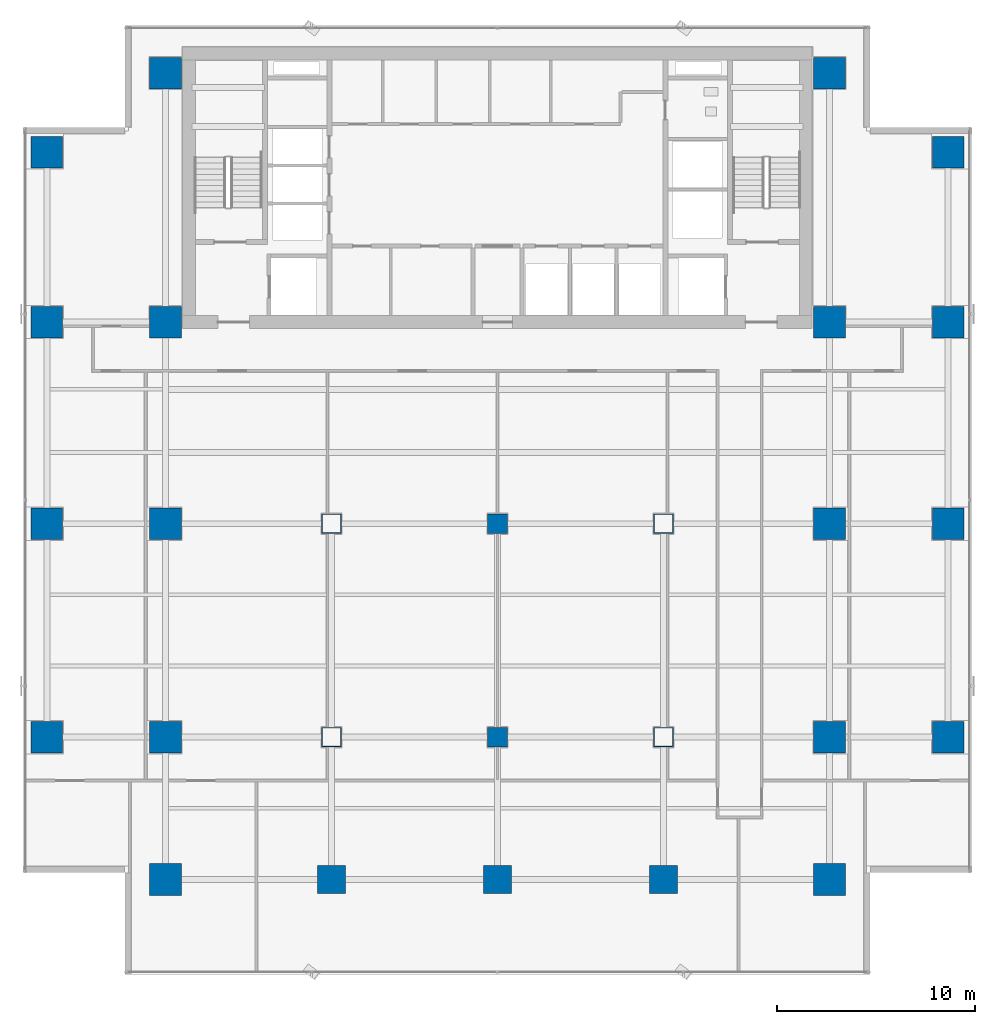
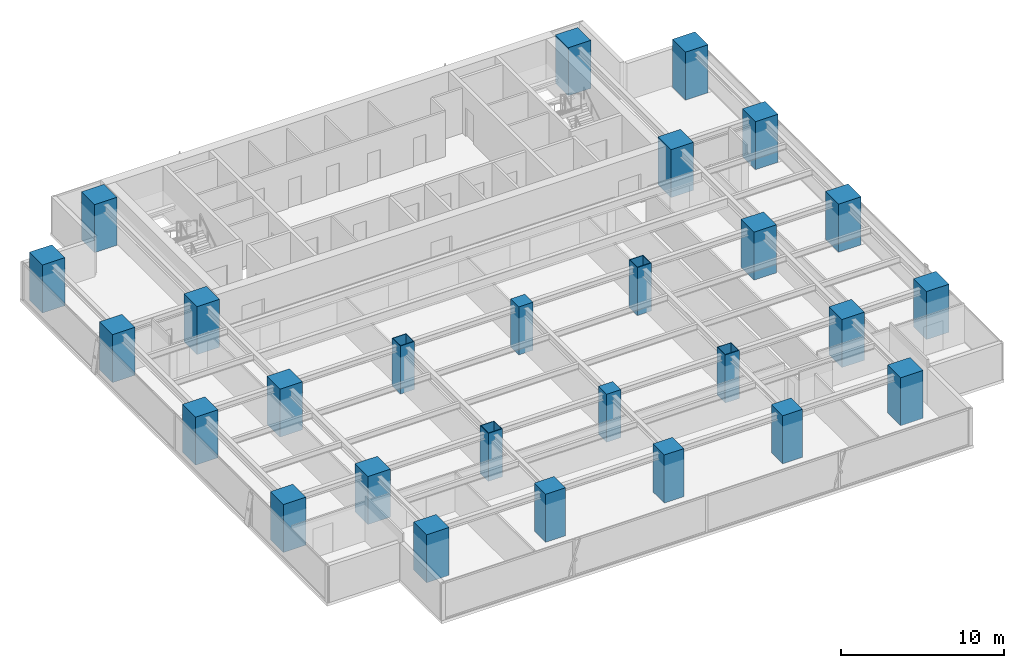
# One storey, part 1 of 28: 27 columns.
"""IFC4 building model written with IfcOpenShell, lengths in metres."""

from ifc_helpers import new_model, si_unit, direction, frame, origin, origin_2d, place, context, subcontext, project, spatial, rectangle, hollow_rectangle, extrude, source, transform, mapped, material, material_profile, profile_set, type_object, element, save


model = new_model("IFC4")

# Units and contexts
model_context = context("Model", 3, precision=1e-05, world=origin(), true_north=direction((0.0, 1.0)))
body_context = subcontext(model_context, "Body", "Model", "MODEL_VIEW")
ifc_project = project(units=[si_unit("LENGTHUNIT", "METRE"), si_unit("AREAUNIT", "SQUARE_METRE"), si_unit("VOLUMEUNIT", "CUBIC_METRE"), si_unit("PLANEANGLEUNIT", "RADIAN"), si_unit("MASSUNIT", "GRAM", prefix="KILO")], contexts=[model_context])

# Site, building, storey
site_placement = place(None, origin())
site = spatial("IfcSite", under=ifc_project, at=site_placement, CompositionType="ELEMENT")
building_placement = place(site_placement, origin())
building = spatial("IfcBuilding", under=site, at=building_placement, Name="Sumidabori Civic Tower", CompositionType="ELEMENT")
storey_placement = place(building_placement, frame((0.0, 0.0, 182.0)))
storey = spatial("IfcBuildingStorey", under=building, at=storey_placement, Name="L47", CompositionType="ELEMENT", Elevation=182.0)

# Columns
ifc_material_1 = material(Name="Concrete C60/75", Category="concrete")
ifc_material_profile_1 = material_profile(ifc_material_1, rectangle(XDim=1.60009765625, YDim=1.60009765625, at=origin_2d()), Name="RC 1600x1600")
ifc_profile_set_1 = profile_set([ifc_material_profile_1], Name="Concrete C60/75")
column_type_1 = type_object("IfcColumnType", Name="CL-MEGA-1600", PredefinedType="COLUMN", material=ifc_profile_set_1)
shared_shape_1 = source(origin(), body_context, "Body", "SweptSolid", [
    extrude(rectangle(XDim=1.60009765625, YDim=1.60009765625, at=origin_2d()), origin(), (0.0, 0.0, 1.0), 3.60009765625),
])
for number, where, z_axis, x_axis, name in (
    (1, (-16.800048828125, -18.0, 0.0), (0.0, 0.0, 1.0), (1.0, 0.0, 0.0), "Column MC-W16-Y18S L47"),
    (2, (-16.800048828125, -10.800048828125, 0.0), (0.0, 0.0, 1.0), (1.0, 0.0, 0.0), "Column MC-W16-Y11S L47"),
    (3, (-16.800048828125, 0.0, 0.0), (0.0, 0.0, 1.0), (1.0, 0.0, 0.0), "Column MC-W16-Y00 L47"),
    (4, (-16.800048828125, 10.199951171875, 0.0), (0.0, 0.0, 1.0), (1.0, 0.0, 0.0), "Column MC-W16-Y10N L47"),
    (5, (-16.800048828125, 22.800048828125, 0.0), (0.0, 0.0, 1.0), (1.0, 0.0, 0.0), "Column MC-W16-Y23N L47"),
    (6, (16.800048828125, -18.0, 0.0), (0.0, 0.0, 1.0), (1.0, 0.0, 0.0), "Column MC-E16-Y18S L47"),
    (7, (16.800048828125, -10.800048828125, 0.0), (0.0, 0.0, 1.0), (1.0, 0.0, 0.0), "Column MC-E16-Y11S L47"),
    (8, (16.800048828125, 0.0, 0.0), (0.0, 0.0, 1.0), (1.0, 0.0, 0.0), "Column MC-E16-Y00 L47"),
    (9, (16.800048828125, 10.199951171875, 0.0), (0.0, 0.0, 1.0), (1.0, 0.0, 0.0), "Column MC-E16-Y10N L47"),
    (10, (16.800048828125, 22.800048828125, 0.0), (0.0, 0.0, 1.0), (1.0, 0.0, 0.0), "Column MC-E16-Y23N L47"),
    (11, (-22.800048828125, -10.800048828125, 0.0), (0.0, 0.0, 1.0), (1.0, 0.0, 0.0), "Column MC-W23-Y11S L47"),
    (12, (-22.800048828125, 0.0, 0.0), (0.0, 0.0, 1.0), (1.0, 0.0, 0.0), "Column MC-W23-Y00 L47"),
    (13, (-22.800048828125, 10.199951171875, 0.0), (0.0, 0.0, 1.0), (1.0, 0.0, 0.0), "Column MC-W23-Y10N L47"),
    (14, (-22.800048828125, 18.800048828125, 0.0), (0.0, 0.0, 1.0), (1.0, 0.0, 0.0), "Column MC-W23-Y19N L47"),
    (15, (22.800048828125, -10.800048828125, 0.0), (0.0, 0.0, 1.0), (1.0, 0.0, 0.0), "Column MC-E23-Y11S L47"),
    (16, (22.800048828125, 0.0, 0.0), (0.0, 0.0, 1.0), (1.0, 0.0, 0.0), "Column MC-E23-Y00 L47"),
    (17, (22.800048828125, 10.199951171875, 0.0), (0.0, 0.0, 1.0), (1.0, 0.0, 0.0), "Column MC-E23-Y10N L47"),
    (18, (22.800048828125, 18.800048828125, 0.0), (0.0, 0.0, 1.0), (1.0, 0.0, 0.0), "Column MC-E23-Y19N L47"),
):
    element("IfcColumn", number, at=place(storey_placement, frame(where, z_axis=z_axis, x_axis=x_axis)), inside=storey, type_object=column_type_1, Name=name, PredefinedType="COLUMN", context=body_context, shape_type="MappedRepresentation", body=[
        mapped(shared_shape_1, transform((0.0, 0.0, 0.0), x_axis=(1.0, 0.0, 0.0), y_axis=(0.0, 1.0, 0.0), z_axis=(0.0, 0.0, 1.0), scale=1.0)),
    ])
ifc_material_2 = material(Name="Steel SM570", Category="steel")
ifc_material_profile_2 = material_profile(ifc_material_2, hollow_rectangle(XDim=1.0, YDim=1.0, WallThickness=0.044921875, at=origin_2d()), Name="SHS 1000x1000x45")
ifc_profile_set_2 = profile_set([ifc_material_profile_2], Name="Steel SM570")
column_type_2 = type_object("IfcColumnType", Name="CL-PORTAL-SHS1000", PredefinedType="COLUMN", material=ifc_profile_set_2)
shared_shape_2 = source(origin(), body_context, "Body", "SweptSolid", [
    extrude(hollow_rectangle(XDim=1.0, YDim=1.0, WallThickness=0.044921875, at=origin_2d()), origin(), (0.0, 0.0, 1.0), 3.60009765625),
])
for number, where, z_axis, x_axis, name in (
    (19, (-8.39990234375, 0.0, 0.0), (0.0, 0.0, 1.0), (1.0, 0.0, 0.0), "Column MC-W08-Y00 L47"),
    (20, (-8.39990234375, -10.800048828125, 0.0), (0.0, 0.0, 1.0), (1.0, 0.0, 0.0), "Column MC-W08-Y11S L47"),
    (21, (8.39990234375, 0.0, 0.0), (0.0, 0.0, 1.0), (1.0, 0.0, 0.0), "Column MC-E08-Y00 L47"),
    (22, (8.39990234375, -10.800048828125, 0.0), (0.0, 0.0, 1.0), (1.0, 0.0, 0.0), "Column MC-E08-Y11S L47"),
):
    element("IfcColumn", number, at=place(storey_placement, frame(where, z_axis=z_axis, x_axis=x_axis)), inside=storey, type_object=column_type_2, Name=name, PredefinedType="COLUMN", context=body_context, shape_type="MappedRepresentation", body=[
        mapped(shared_shape_2, transform((0.0, 0.0, 0.0), x_axis=(1.0, 0.0, 0.0), y_axis=(0.0, 1.0, 0.0), z_axis=(0.0, 0.0, 1.0), scale=1.0)),
    ])
ifc_material_profile_3 = material_profile(ifc_material_1, rectangle(XDim=1.39990234375, YDim=1.39990234375, at=origin_2d()), Name="RC 1400x1400")
ifc_profile_set_3 = profile_set([ifc_material_profile_3], Name="Concrete C60/75")
column_type_3 = type_object("IfcColumnType", Name="CL-MEGA-1400", PredefinedType="COLUMN", material=ifc_profile_set_3)
shared_shape_3 = source(origin(), body_context, "Body", "SweptSolid", [
    extrude(rectangle(XDim=1.39990234375, YDim=1.39990234375, at=origin_2d()), origin(), (0.0, 0.0, 1.0), 3.60009765625),
])
for number, where, z_axis, x_axis, name in (
    (23, (-8.39990234375, -18.0, 0.0), (0.0, 0.0, 1.0), (1.0, 0.0, 0.0), "Column MC-W08-Y18S L47"),
    (24, (8.39990234375, -18.0, 0.0), (0.0, 0.0, 1.0), (1.0, 0.0, 0.0), "Column MC-E08-Y18S L47"),
    (25, (0.0, -18.0, 0.0), (0.0, 0.0, 1.0), (1.0, 0.0, 0.0), "Column MC-C00-Y18S L47"),
):
    element("IfcColumn", number, at=place(storey_placement, frame(where, z_axis=z_axis, x_axis=x_axis)), inside=storey, type_object=column_type_3, Name=name, PredefinedType="COLUMN", context=body_context, shape_type="MappedRepresentation", body=[
        mapped(shared_shape_3, transform((0.0, 0.0, 0.0), x_axis=(1.0, 0.0, 0.0), y_axis=(0.0, 1.0, 0.0), z_axis=(0.0, 0.0, 1.0), scale=1.0)),
    ])
ifc_material_3 = material(Name="Concrete C50/60", Category="concrete")
ifc_material_profile_4 = material_profile(ifc_material_3, rectangle(XDim=1.0, YDim=1.0, at=origin_2d()), Name="RC 1000x1000")
ifc_profile_set_4 = profile_set([ifc_material_profile_4], Name="Concrete C50/60")
column_type_4 = type_object("IfcColumnType", Name="CL-INT-1000", PredefinedType="COLUMN", material=ifc_profile_set_4)
shared_shape_4 = source(origin(), body_context, "Body", "SweptSolid", [
    extrude(rectangle(XDim=1.0, YDim=1.0, at=origin_2d()), origin(), (0.0, 0.0, 1.0), 3.60009765625),
])
for number, where, z_axis, x_axis, name in (
    (26, (0.0, -10.800048828125, 0.0), (0.0, 0.0, 1.0), (1.0, 0.0, 0.0), "Column MC-C00-Y11S L47"),
    (27, (0.0, 0.0, 0.0), (0.0, 0.0, 1.0), (1.0, 0.0, 0.0), "Column MC-C00-Y00 L47"),
):
    element("IfcColumn", number, at=place(storey_placement, frame(where, z_axis=z_axis, x_axis=x_axis)), inside=storey, type_object=column_type_4, Name=name, PredefinedType="COLUMN", context=body_context, shape_type="MappedRepresentation", body=[
        mapped(shared_shape_4, transform((0.0, 0.0, 0.0), x_axis=(1.0, 0.0, 0.0), y_axis=(0.0, 1.0, 0.0), z_axis=(0.0, 0.0, 1.0), scale=1.0)),
    ])

save(model, "model.ifc")
